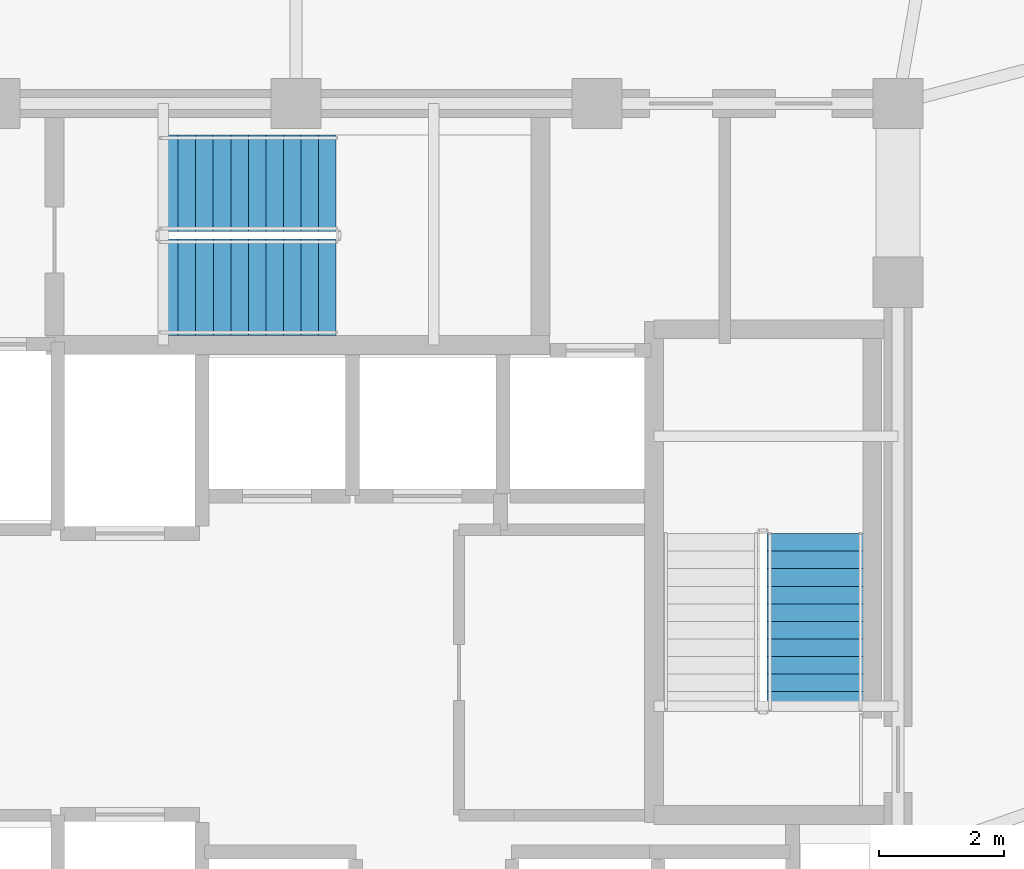
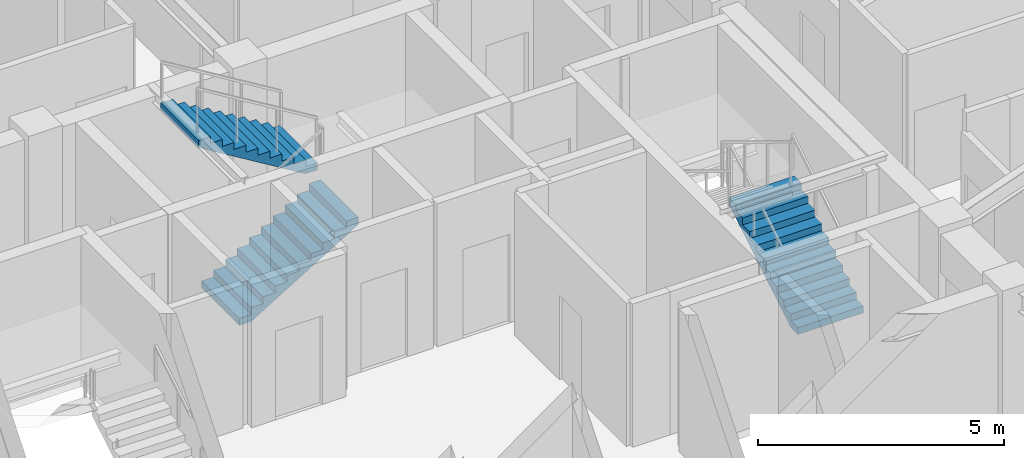
# One storey, part 26 of 30: 3 stair flights, 2 elements without a shape of their own.
"""IFC4 building model written with IfcOpenShell, lengths in metres."""

from ifc_helpers import new_model, si_unit, direction, frame, origin, place, context, subcontext, project, spatial, polyline, outline, extrude, material, type_object, element, aggregate, save


model = new_model("IFC4")

# Units and contexts
model_context = context("Model", 3, precision=1e-05, world=origin(), true_north=direction((0.0, 1.0)))
body_context = subcontext(model_context, "Body", "Model", "MODEL_VIEW")
ifc_project = project(units=[si_unit("LENGTHUNIT", "METRE"), si_unit("AREAUNIT", "SQUARE_METRE"), si_unit("VOLUMEUNIT", "CUBIC_METRE"), si_unit("PLANEANGLEUNIT", "RADIAN"), si_unit("MASSUNIT", "GRAM", prefix="KILO")], contexts=[model_context])

# Site, building, storey
site_placement = place(None, origin())
site = spatial("IfcSite", under=ifc_project, at=site_placement, CompositionType="ELEMENT")
building_placement = place(site_placement, origin())
building = spatial("IfcBuilding", under=site, at=building_placement, Name="Vantalir Tower", CompositionType="ELEMENT")
storey_placement = place(building_placement, frame((0.0, 0.0, 189.89990234375)))
storey = spatial("IfcBuildingStorey", under=building, at=storey_placement, Name="L47", CompositionType="ELEMENT", Elevation=189.89990234375)

# Stair, stair flight
ifc_material = material(Name="Concrete C40/50", Category="concrete")
stair_type = type_object("IfcStairType", Name="STR-CORE-1450", PredefinedType="HALF_TURN_STAIR", material=ifc_material)
stair_1_placement = place(storey_placement, origin())
stair_1 = element("IfcStair", 1, at=stair_1_placement, inside=storey, type_object=stair_type, Name="L47 Core Exit Stair 2", PredefinedType="HALF_TURN_STAIR")
stair_flight_type = type_object("IfcStairFlightType", Name="FLT-CORE-1450", PredefinedType="STRAIGHT", material=ifc_material)
stair_flight_1_placement = place(storey_placement, frame((39.780029296875, 22.7900390625, 0.0), z_axis=(0.0, 0.0, 1.0), x_axis=(0.0, 1.0, 0.0)))
stair_flight_1 = element("IfcStairFlight", 2, at=stair_flight_1_placement, type_object=stair_flight_type, Name="ST2 flight 1", NumberOfRisers=11, NumberOfTreads=10, PredefinedType="STRAIGHT", RiserHeight=0.170454545, TreadLength=0.28, context=body_context, shape_type="SweptSolid", body=[
    extrude(outline(polyline([(0.0, 0.0), (0.0, 0.17041015625), (0.280029296875, 0.17041015625), (0.280029296875, 0.3408203125), (0.56005859375, 0.3408203125), (0.56005859375, 0.511474609375), (0.840087890625, 0.511474609375), (0.840087890625, 0.681884765625), (1.1201171875, 0.681884765625), (1.1201171875, 0.852294921875), (1.39990234375, 0.852294921875), (1.39990234375, 1.022705078125), (1.679931640625, 1.022705078125), (1.679931640625, 1.193115234375), (1.9599609375, 1.193115234375), (1.9599609375, 1.363525390625), (2.239990234375, 1.363525390625), (2.239990234375, 1.5341796875), (2.52001953125, 1.5341796875), (2.52001953125, 1.70458984375), (2.800048828125, 1.70458984375), (2.800048828125, 1.875), (2.800048828125, 1.529052734375), (0.288330078125, 0.0), (0.0, 0.0)])), frame((0.0, 0.77001953125, 0.0), z_axis=(0.0, -1.0, 0.0), x_axis=(1.0, 0.0, 0.0)), (0.0, 0.0, 1.0), 1.5400390625),
])
aggregate(stair_1, [stair_flight_1])

# Stair, stair flights
stair_2_placement = place(storey_placement, origin())
stair_2 = element("IfcStair", 3, at=stair_2_placement, inside=storey, type_object=stair_type, Name="L47 Core Exit Stair 3", PredefinedType="HALF_TURN_STAIR")
stair_flight_2_placement = place(storey_placement, frame((29.340087890625, 29.52001953125, 0.0), z_axis=(0.0, 0.0, 1.0), x_axis=(1.0, 0.0, 0.0)))
stair_flight_2 = element("IfcStairFlight", 4, at=stair_flight_2_placement, type_object=stair_flight_type, Name="ST3 flight 1", NumberOfRisers=11, NumberOfTreads=10, PredefinedType="STRAIGHT", RiserHeight=0.170454545, TreadLength=0.28, context=body_context, shape_type="SweptSolid", body=[
    extrude(outline(polyline([(0.0, 0.0), (0.0, 0.17041015625), (0.280029296875, 0.17041015625), (0.280029296875, 0.3408203125), (0.56005859375, 0.3408203125), (0.56005859375, 0.511474609375), (0.840087890625, 0.511474609375), (0.840087890625, 0.681884765625), (1.1201171875, 0.681884765625), (1.1201171875, 0.852294921875), (1.39990234375, 0.852294921875), (1.39990234375, 1.022705078125), (1.679931640625, 1.022705078125), (1.679931640625, 1.193115234375), (1.9599609375, 1.193115234375), (1.9599609375, 1.363525390625), (2.239990234375, 1.363525390625), (2.239990234375, 1.5341796875), (2.52001953125, 1.5341796875), (2.52001953125, 1.70458984375), (2.800048828125, 1.70458984375), (2.800048828125, 1.875), (2.800048828125, 1.529052734375), (0.288330078125, 0.0), (0.0, 0.0)])), frame((0.0, 0.77001953125, 0.0), z_axis=(0.0, -1.0, 0.0), x_axis=(1.0, 0.0, 0.0)), (0.0, 0.0, 1.0), 1.5400390625),
])
stair_flight_3_placement = place(storey_placement, frame((32.139892578125, 31.179931640625, 1.875), z_axis=(0.0, 0.0, 1.0), x_axis=(-1.0, 0.0, 0.0)))
stair_flight_3 = element("IfcStairFlight", 5, at=stair_flight_3_placement, type_object=stair_flight_type, Name="ST3 flight 2", NumberOfRisers=11, NumberOfTreads=10, PredefinedType="STRAIGHT", RiserHeight=0.170454545, TreadLength=0.28, context=body_context, shape_type="SweptSolid", body=[
    extrude(outline(polyline([(0.0, 0.0), (0.0, 0.17041015625), (0.280029296875, 0.17041015625), (0.280029296875, 0.3408203125), (0.56005859375, 0.3408203125), (0.56005859375, 0.511474609375), (0.840087890625, 0.511474609375), (0.840087890625, 0.681884765625), (1.1201171875, 0.681884765625), (1.1201171875, 0.852294921875), (1.39990234375, 0.852294921875), (1.39990234375, 1.022705078125), (1.679931640625, 1.022705078125), (1.679931640625, 1.193115234375), (1.9599609375, 1.193115234375), (1.9599609375, 1.363525390625), (2.239990234375, 1.363525390625), (2.239990234375, 1.5341796875), (2.52001953125, 1.5341796875), (2.52001953125, 1.70458984375), (2.800048828125, 1.70458984375), (2.800048828125, 1.875), (2.800048828125, 1.529052734375), (0.288330078125, 0.0), (0.0, 0.0)])), frame((0.0, 0.77001953125, 0.0), z_axis=(0.0, -1.0, 0.0), x_axis=(1.0, 0.0, 0.0)), (0.0, 0.0, 1.0), 1.5400390625),
])
aggregate(stair_2, [stair_flight_2, stair_flight_3])

save(model, "model.ifc")
